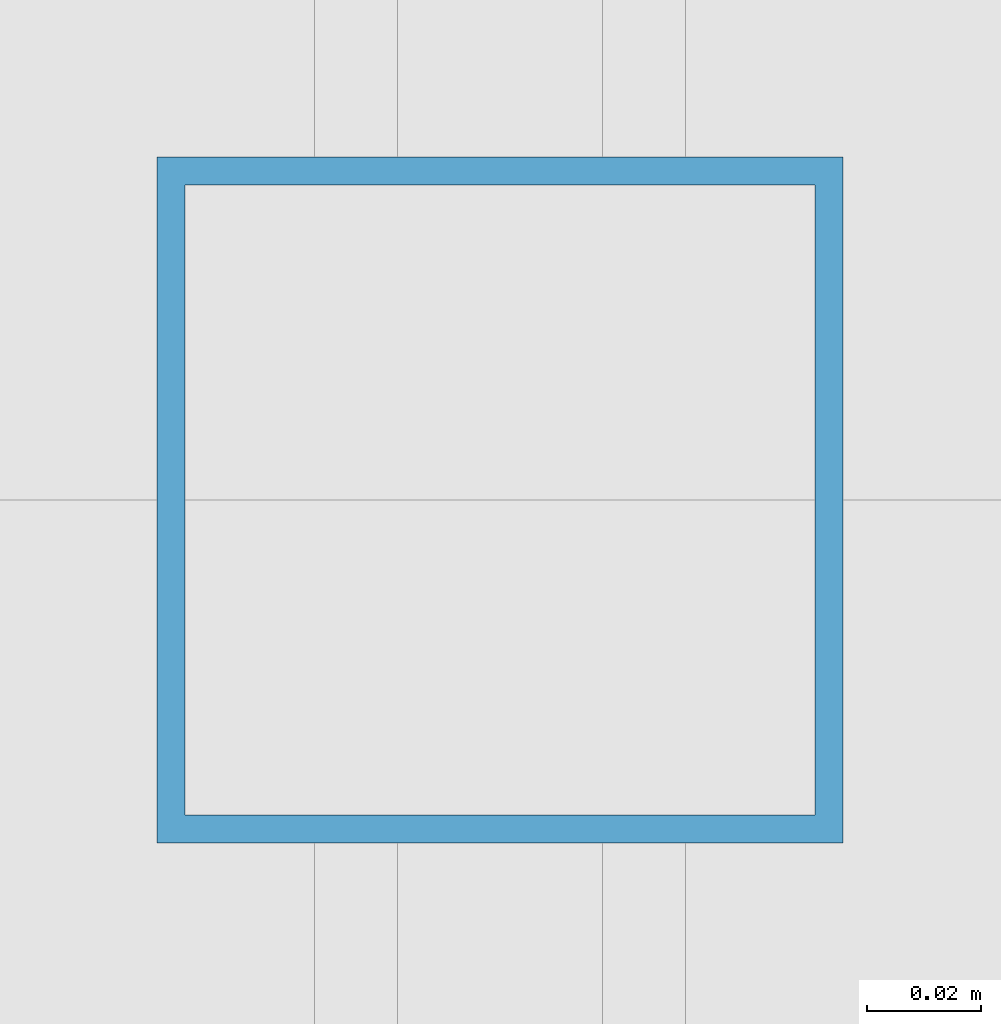
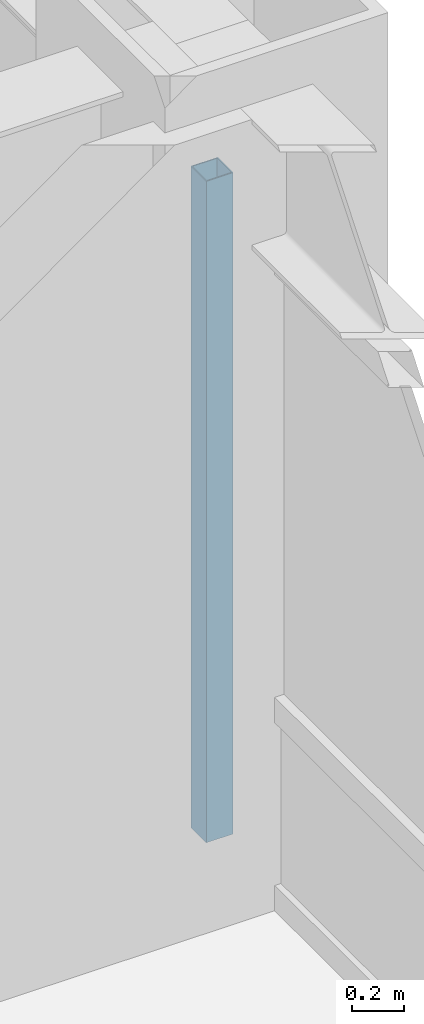
# One storey, part 10 of 25: 1 member, 1 element without a shape of its own.
"""IFC4 building model written with IfcOpenShell, lengths in metres."""

from ifc_helpers import new_model, si_unit, direction, frame, origin, origin_2d, place, context, subcontext, project, spatial, hollow_rectangle, extrude, source, transform, mapped, material, material_profile, profile_set, type_object, element, aggregate, save


model = new_model("IFC4")

# Units and contexts
model_context = context("Model", 3, precision=1e-05, world=origin(), true_north=direction((0.0, 1.0)))
body_context = subcontext(model_context, "Body", "Model", "MODEL_VIEW")
ifc_project = project(units=[si_unit("LENGTHUNIT", "METRE"), si_unit("AREAUNIT", "SQUARE_METRE"), si_unit("VOLUMEUNIT", "CUBIC_METRE"), si_unit("PLANEANGLEUNIT", "RADIAN"), si_unit("MASSUNIT", "GRAM", prefix="KILO")], contexts=[model_context])

# Site, building, storey
site_placement = place(None, origin())
site = spatial("IfcSite", under=ifc_project, at=site_placement, CompositionType="ELEMENT")
building_placement = place(site_placement, origin())
building = spatial("IfcBuilding", under=site, at=building_placement, Name="Khorayat Bourse Tower", CompositionType="ELEMENT")
storey_placement = place(building_placement, frame((0.0, 0.0, 223.10009765625)))
storey = spatial("IfcBuildingStorey", under=building, at=storey_placement, Name="L52", CompositionType="ELEMENT", Elevation=223.10009765625)

# Curtain wall, member
ifc_material = material(Name="Aluminium EN AW-6063 T6", Category="aluminium")
curtain_wall_type = type_object("IfcCurtainWallType", Name="CW-SYS-03", PredefinedType="NOTDEFINED", material=ifc_material)
curtain_wall_placement = place(storey_placement, origin())
curtain_wall = element("IfcCurtainWall", 1, at=curtain_wall_placement, inside=storey, type_object=curtain_wall_type, Name="L52 Curtain Wall CW-L52-E1", PredefinedType="NOTDEFINED")
ifc_material_profile = material_profile(ifc_material, hollow_rectangle(XDim=0.1201171875, YDim=0.1201171875, WallThickness=0.0048828125, at=origin_2d()), Name="ALU 120x120x5")
ifc_profile_set = profile_set([ifc_material_profile], Name="Aluminium EN AW-6063 T6")
member_type = type_object("IfcMemberType", Name="CWM-VERT-120", PredefinedType="MULLION", material=ifc_profile_set)
shared_shape = source(origin(), body_context, "Body", "SweptSolid", [
    extrude(hollow_rectangle(XDim=0.1201171875, YDim=0.1201171875, WallThickness=0.0048828125, at=origin_2d()), origin(), (0.0, 0.0, 1.0), 3.1298828125),
])
member_placement = place(storey_placement, frame((30.0, 0.0, 0.0), z_axis=(0.0, 0.0, 1.0), x_axis=(-1.0, 0.0, 0.0)))
member = element("IfcMember", 2, at=member_placement, type_object=member_type, Name="CW-L52-E1 Vertical Mullion 2", PredefinedType="MULLION", context=body_context, shape_type="MappedRepresentation", body=[
    mapped(shared_shape, transform((0.0, 0.0, 0.0), scale=1.0)),
])
aggregate(curtain_wall, [member])

save(model, "model.ifc")
